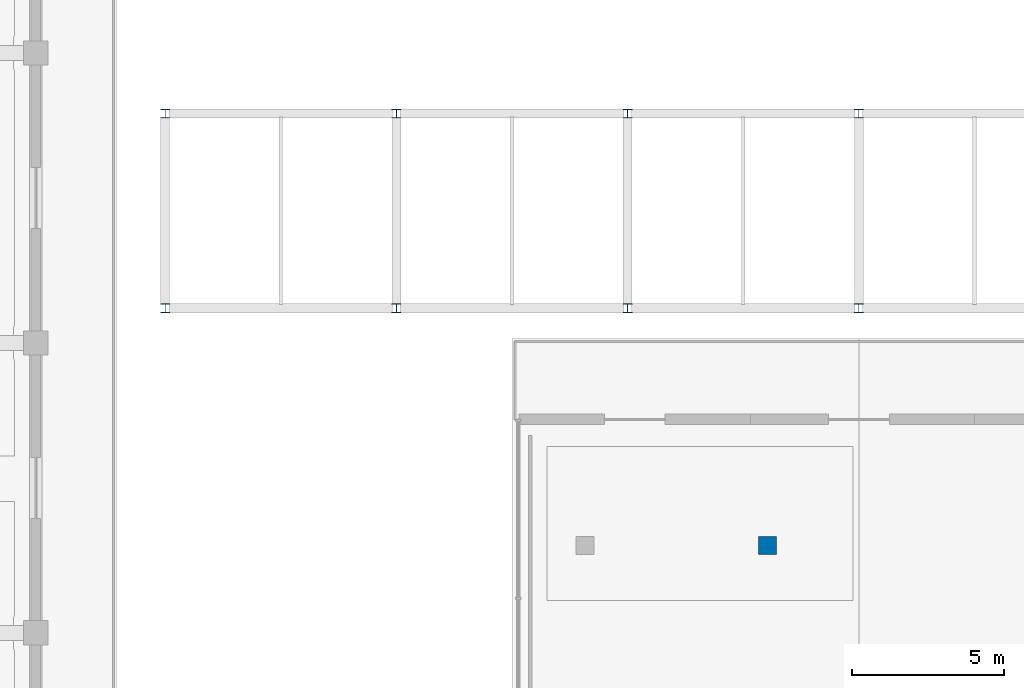
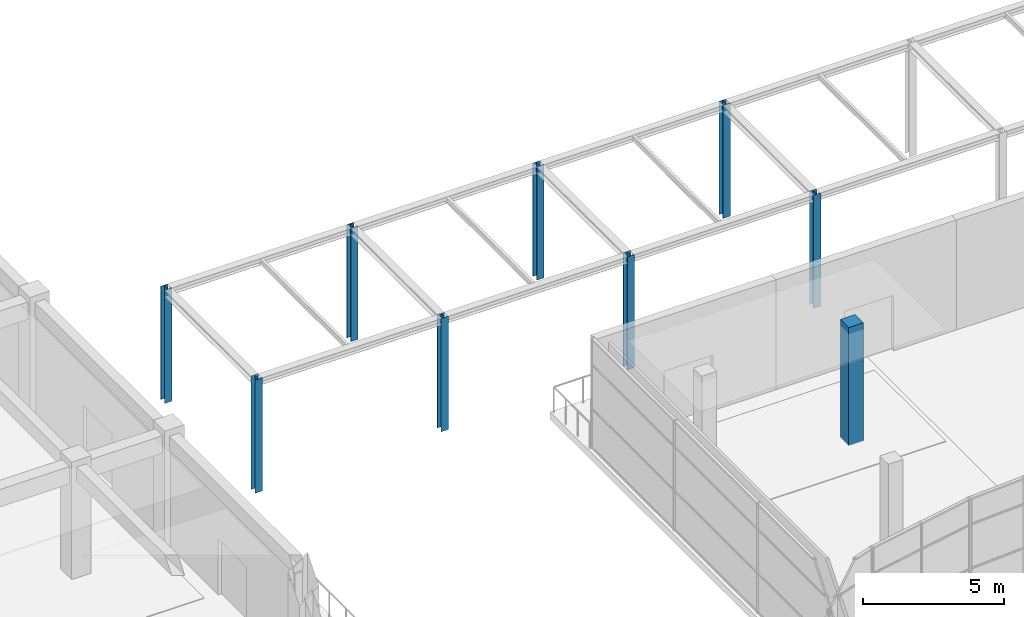
# One storey, part 16 of 99: 9 columns.
"""IFC4 building model written with IfcOpenShell, lengths in metres."""

from ifc_helpers import new_model, si_unit, direction, frame, origin, origin_2d, place, context, subcontext, project, spatial, rectangle, i_section, extrude, material, material_profile, profile_set, type_object, element, save


model = new_model("IFC4")

# Units and contexts
model_context = context("Model", 3, precision=1e-05, world=origin(), true_north=direction((0.0, 1.0)))
body_context = subcontext(model_context, "Body", "Model", "MODEL_VIEW")
ifc_project = project(units=[si_unit("LENGTHUNIT", "METRE"), si_unit("AREAUNIT", "SQUARE_METRE"), si_unit("VOLUMEUNIT", "CUBIC_METRE"), si_unit("PLANEANGLEUNIT", "RADIAN"), si_unit("MASSUNIT", "GRAM", prefix="KILO")], contexts=[model_context])

# Site, building, storey
site_placement = place(None, origin())
site = spatial("IfcSite", under=ifc_project, at=site_placement, CompositionType="ELEMENT")
building_placement = place(site_placement, origin())
building = spatial("IfcBuilding", under=site, at=building_placement, Name="Saryqyr Civic Hall", CompositionType="ELEMENT")
storey_placement = place(building_placement, origin())
storey = spatial("IfcBuildingStorey", under=building, at=storey_placement, Name="L00", CompositionType="ELEMENT", Elevation=0.0)

# Columns
ifc_material_1 = material(Name="Steel S355", Category="steel")
ifc_material_profile_1 = material_profile(ifc_material_1, i_section(OverallWidth=0.300048828125, OverallDepth=0.2900390625, WebThickness=0.008544921875, FlangeThickness=0.013916015625, at=origin_2d()), Name="HEA 300")
ifc_profile_set_1 = profile_set([ifc_material_profile_1], Name="Steel S355")
column_type_1 = type_object("IfcColumnType", Name="STR-COL-HEA300-S355", PredefinedType="COLUMN", material=ifc_profile_set_1)
for number, where, z_axis, x_axis, name in (
    (1, (34.199951171875, 137.800048828125, 0.0), (0.0, 0.0, 1.0), (1.0, 0.0, 0.0), "Column V6A-COL-11-L00"),
    (2, (34.199951171875, 144.199951171875, 0.0), (0.0, 0.0, 1.0), (1.0, 0.0, 0.0), "Column V6A-COL-21-L00"),
    (3, (41.800048828125, 137.800048828125, 0.0), (0.0, 0.0, 1.0), (1.0, 0.0, 0.0), "Column V6A-COL-12-L00"),
    (4, (41.800048828125, 144.199951171875, 0.0), (0.0, 0.0, 1.0), (1.0, 0.0, 0.0), "Column V6A-COL-22-L00"),
    (5, (49.39990234375, 137.800048828125, 0.0), (0.0, 0.0, 1.0), (1.0, 0.0, 0.0), "Column V6A-COL-13-L00"),
    (6, (49.39990234375, 144.199951171875, 0.0), (0.0, 0.0, 1.0), (1.0, 0.0, 0.0), "Column V6A-COL-23-L00"),
    (7, (57.0, 137.800048828125, 0.0), (0.0, 0.0, 1.0), (1.0, 0.0, 0.0), "Column V6A-COL-14-L00"),
    (8, (57.0, 144.199951171875, 0.0), (0.0, 0.0, 1.0), (1.0, 0.0, 0.0), "Column V6A-COL-24-L00"),
):
    element("IfcColumn", number, at=place(storey_placement, frame(where, z_axis=z_axis, x_axis=x_axis)), inside=storey, type_object=column_type_1, Name=name, PredefinedType="COLUMN", context=body_context, shape_type="SweptSolid", body=[
        extrude(i_section(OverallWidth=0.300048828125, OverallDepth=0.2900390625, WebThickness=0.008544921875, FlangeThickness=0.013916015625, at=origin_2d()), origin(), (0.0, 0.0, 1.0), 4.889892578125),
    ])
ifc_material_2 = material(Name="Concrete C40/50", Category="concrete")
ifc_material_profile_2 = material_profile(ifc_material_2, rectangle(XDim=0.60009765625, YDim=0.60009765625, at=origin_2d()), Name="RC 600x600")
ifc_profile_set_2 = profile_set([ifc_material_profile_2], Name="Concrete C40/50")
column_type_2 = type_object("IfcColumnType", Name="STR-COL-RC600-C40", PredefinedType="COLUMN", material=ifc_profile_set_2)
column_placement = place(storey_placement, frame((54.0, 130.0, 0.0), z_axis=(0.0, 0.0, 1.0), x_axis=(1.0, 0.0, 0.0)))
element("IfcColumn", 9, at=column_placement, inside=storey, type_object=column_type_2, Name="Column V2-XCOL-20-L00", PredefinedType="COLUMN", context=body_context, shape_type="SweptSolid", body=[
    extrude(rectangle(XDim=0.60009765625, YDim=0.60009765625, at=origin_2d()), origin(), (0.0, 0.0, 1.0), 5.10009765625),
])

save(model, "model.ifc")
